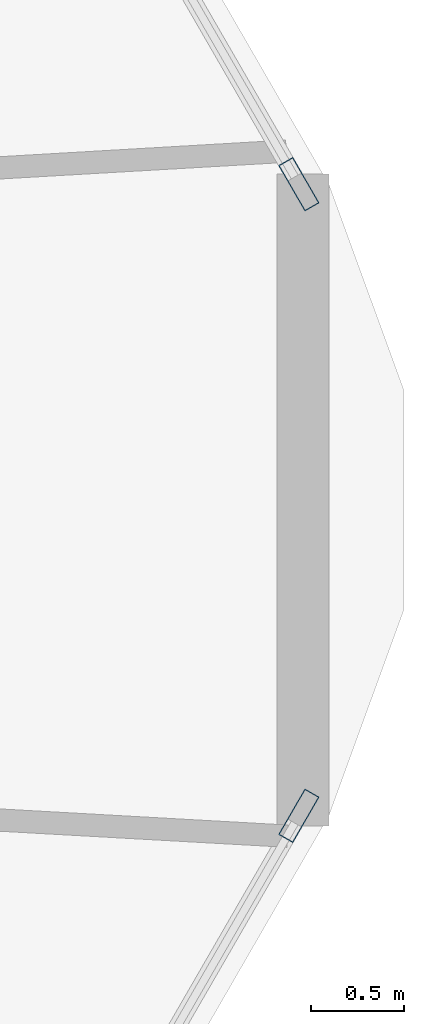
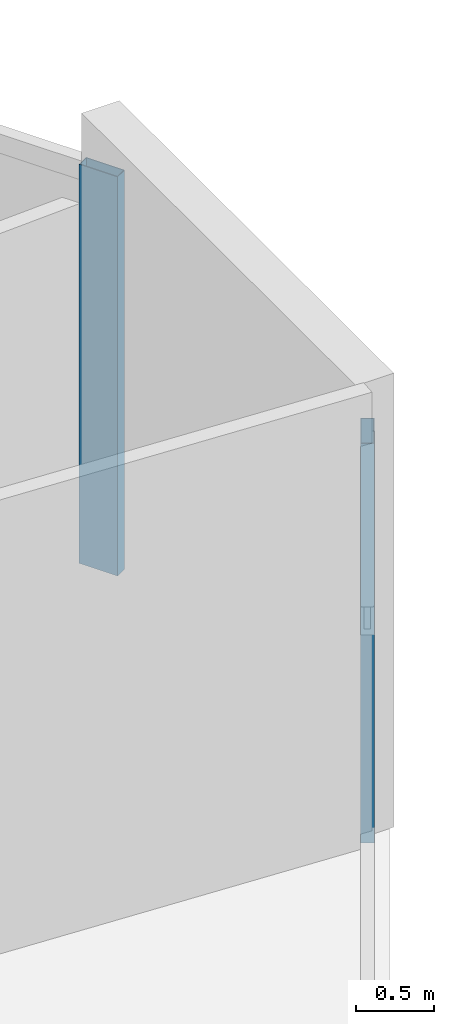
# One storey, part 22 of 33: 2 members, 2 elements without a shape of their own.
"""IFC4 building model written with IfcOpenShell, lengths in metres."""

from ifc_helpers import new_model, si_unit, direction, frame, origin, origin_2d, place, context, subcontext, project, spatial, hollow_rectangle, extrude, material, material_profile, profile_set, type_object, element, aggregate, save


model = new_model("IFC4")

# Units and contexts
model_context = context("Model", 3, precision=1e-05, world=origin(), true_north=direction((0.0, 1.0)))
body_context = subcontext(model_context, "Body", "Model", "MODEL_VIEW")
ifc_project = project(units=[si_unit("LENGTHUNIT", "METRE"), si_unit("AREAUNIT", "SQUARE_METRE"), si_unit("VOLUMEUNIT", "CUBIC_METRE"), si_unit("PLANEANGLEUNIT", "RADIAN"), si_unit("MASSUNIT", "GRAM", prefix="KILO")], contexts=[model_context])

# Site, building, storey
site_placement = place(None, origin())
site = spatial("IfcSite", under=ifc_project, at=site_placement, CompositionType="ELEMENT")
building_placement = place(site_placement, origin())
building = spatial("IfcBuilding", under=site, at=building_placement, Name="Zuhravey Tower", CompositionType="ELEMENT")
storey_placement = place(building_placement, frame((0.0, 0.0, 103.800048828125)))
storey = spatial("IfcBuildingStorey", under=building, at=storey_placement, Name="L25", CompositionType="ELEMENT", Elevation=103.800048828125)

# Curtain wall, member
ifc_material_1 = material(Name="Thermally broken anodised aluminium", Category="aluminium")
curtain_wall_type = type_object("IfcCurtainWallType", Name="Zone 1-2 Residential Curtain Wall CW3", PredefinedType="NOTDEFINED", material=ifc_material_1)
curtain_wall_1_placement = place(storey_placement, origin())
curtain_wall_1 = element("IfcCurtainWall", 1, at=curtain_wall_1_placement, inside=storey, type_object=curtain_wall_type, Name="L25 CW3 CW-L25-F6-1", PredefinedType="NOTDEFINED")
ifc_material_2 = material(Name="Anodised aluminium", Category="aluminium")
ifc_material_profile = material_profile(ifc_material_2, hollow_rectangle(XDim=0.090087890625, YDim=0.284912109375, WallThickness=0.0048828125, at=origin_2d()), Name="ALU-RHS-90x285x5")
ifc_profile_set = profile_set([ifc_material_profile], Name="Anodised aluminium")
member_type = type_object("IfcMemberType", Name="Curtain-Wall Mullion 90x180", PredefinedType="MULLION", material=ifc_profile_set)
member_1_placement = place(storey_placement, frame((68.4560546875, 30.298583984375, 0.0), z_axis=(0.0, 0.0, 1.0), x_axis=(0.86602552265, -0.499999794119, 0.0)))
member_1 = element("IfcMember", 2, at=member_1_placement, type_object=member_type, Name="CW3 mullion 1", PredefinedType="MULLION", context=body_context, shape_type="SweptSolid", body=[
    extrude(hollow_rectangle(XDim=0.090087890625, YDim=0.284912109375, WallThickness=0.0048828125, at=origin_2d()), origin(), (0.0, 0.0, 1.0), 3.1220703125),
])
aggregate(curtain_wall_1, [member_1])

curtain_wall_2_placement = place(storey_placement, origin())
curtain_wall_2 = element("IfcCurtainWall", 3, at=curtain_wall_2_placement, inside=storey, type_object=curtain_wall_type, Name="L25 CW3 CW-L25-F1-1", PredefinedType="NOTDEFINED")
member_2_placement = place(storey_placement, frame((68.4560546875, 33.701416015625, 0.0), z_axis=(0.0, 0.0, 1.0), x_axis=(0.86602552265, 0.499999794119, 0.0)))
member_2 = element("IfcMember", 4, at=member_2_placement, type_object=member_type, Name="CW3 mullion 6", PredefinedType="MULLION", context=body_context, shape_type="SweptSolid", body=[
    extrude(hollow_rectangle(XDim=0.090087890625, YDim=0.284912109375, WallThickness=0.0048828125, at=origin_2d()), origin(), (0.0, 0.0, 1.0), 3.1220703125),
])
aggregate(curtain_wall_2, [member_2])

save(model, "model.ifc")
